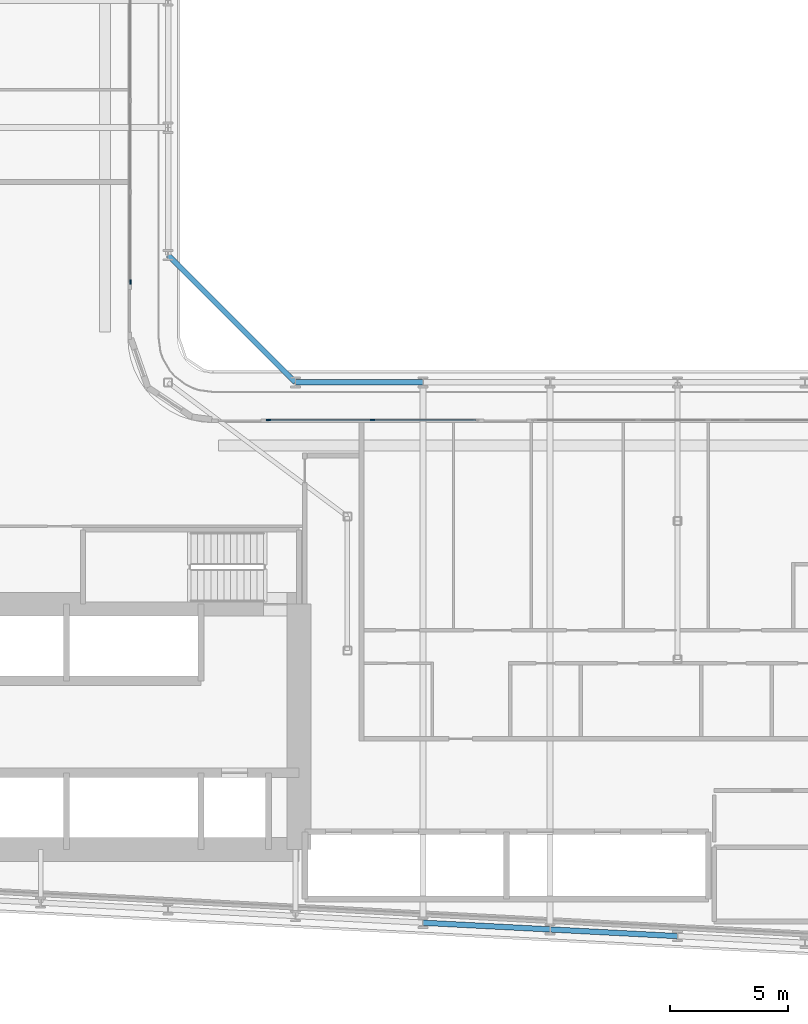
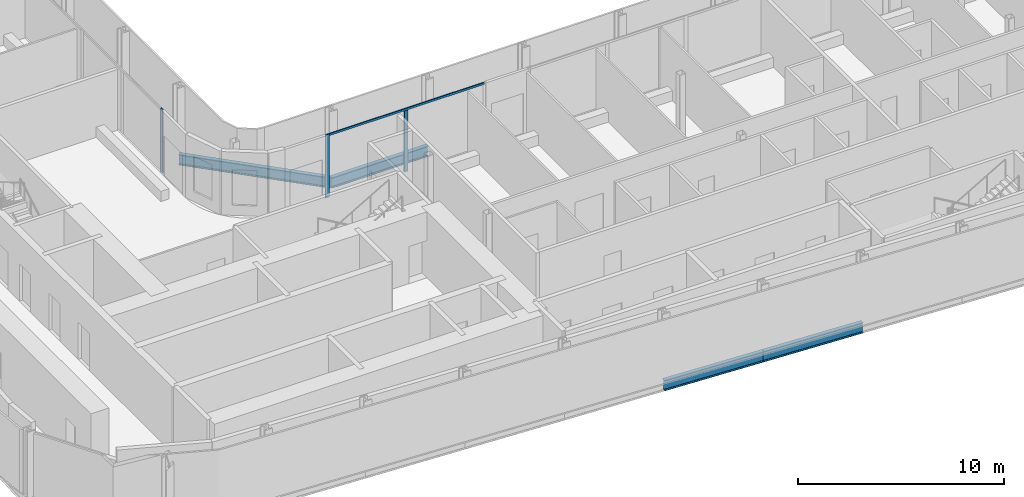
# One storey, part 4 of 27: 4 beams, 4 members, 2 elements without a shape of their own.
"""IFC4 building model written with IfcOpenShell, lengths in metres."""

from ifc_helpers import new_model, si_unit, direction, frame, origin, origin_2d, place, context, subcontext, project, spatial, rectangle, i_section, extrude, material, layer, layer_set, material_profile, profile_set, type_object, element, aggregate, save


model = new_model("IFC4")

# Units and contexts
model_context = context("Model", 3, precision=1e-05, world=origin(), true_north=direction((0.0, 1.0)))
body_context = subcontext(model_context, "Body", "Model", "MODEL_VIEW")
ifc_project = project(units=[si_unit("LENGTHUNIT", "METRE"), si_unit("AREAUNIT", "SQUARE_METRE"), si_unit("VOLUMEUNIT", "CUBIC_METRE"), si_unit("PLANEANGLEUNIT", "RADIAN"), si_unit("MASSUNIT", "GRAM", prefix="KILO")], contexts=[model_context])

# Site, building, storey
site_placement = place(None, origin())
site = spatial("IfcSite", under=ifc_project, at=site_placement, CompositionType="ELEMENT")
building_placement = place(site_placement, origin())
building = spatial("IfcBuilding", under=site, at=building_placement, Name="Kheshtan School and Residences Tower", CompositionType="ELEMENT")
storey_placement = place(building_placement, frame((0.0, 0.0, 46.10009765625)))
storey = spatial("IfcBuildingStorey", under=building, at=storey_placement, Name="L10", CompositionType="ELEMENT", Elevation=46.10009765625)

# Beams
ifc_material_1 = material(Name="Steel ASTM A992 Grade 50", Category="steel")
ifc_material_profile_1 = material_profile(ifc_material_1, i_section(OverallWidth=0.22998046875, OverallDepth=0.616943359375, WebThickness=0.01318359375, FlangeThickness=0.022216796875, FilletRadius=0.0185546875, at=origin_2d()), Name="W610x140")
ifc_profile_set_1 = profile_set([ifc_material_profile_1], Name="Steel ASTM A992 Grade 50")
beam_type = type_object("IfcBeamType", Name="Beam SP1 W610x140 ASTM A992 Grade 50", PredefinedType="BEAM", material=ifc_profile_set_1)
beam_1_placement = place(storey_placement, frame((47.60009765625, 51.0, -0.45849609375), z_axis=(0.707106781187, -0.707106781187, 0.0), x_axis=(0.707106781187, 0.707106781187, 0.0)))
element("IfcBeam", 1, at=beam_1_placement, inside=storey, type_object=beam_type, Name="Spandrel beam C079-C061", PredefinedType="BEAM", context=body_context, shape_type="SweptSolid", body=[
    extrude(i_section(OverallWidth=0.22998046875, OverallDepth=0.616943359375, WebThickness=0.01318359375, FlangeThickness=0.022216796875, FilletRadius=0.0185546875, at=origin_2d()), origin(), (0.0, 0.0, 1.0), 7.63671875),
])
beam_2_placement = place(storey_placement, frame((53.0, 45.60009765625, -0.45849609375), z_axis=(1.0, 0.0, 0.0), x_axis=(0.0, 1.0, 0.0)))
element("IfcBeam", 2, at=beam_2_placement, inside=storey, type_object=beam_type, Name="Spandrel beam C061-C062", PredefinedType="BEAM", context=body_context, shape_type="SweptSolid", body=[
    extrude(i_section(OverallWidth=0.22998046875, OverallDepth=0.616943359375, WebThickness=0.01318359375, FlangeThickness=0.022216796875, FilletRadius=0.0185546875, at=origin_2d()), origin(), (0.0, 0.0, 1.0), 5.39990234375),
])
beam_3_placement = place(storey_placement, frame((69.199951171875, 22.126953125, -0.45849609375), z_axis=(-0.998620447272, 0.05250906864, 0.0), x_axis=(-0.05250906864, -0.998620447272, 0.0)))
element("IfcBeam", 3, at=beam_3_placement, inside=storey, type_object=beam_type, Name="Spandrel beam C014-C016", PredefinedType="BEAM", context=body_context, shape_type="SweptSolid", body=[
    extrude(i_section(OverallWidth=0.22998046875, OverallDepth=0.616943359375, WebThickness=0.01318359375, FlangeThickness=0.022216796875, FilletRadius=0.0185546875, at=origin_2d()), origin(), (0.0, 0.0, 1.0), 5.407470703125),
])
beam_4_placement = place(storey_placement, frame((63.800048828125, 22.410888671875, -0.45849609375), z_axis=(-0.998618203458, 0.052551724256, 0.0), x_axis=(-0.052551724256, -0.998618203458, 0.0)))
element("IfcBeam", 4, at=beam_4_placement, inside=storey, type_object=beam_type, Name="Spandrel beam C016-C018", PredefinedType="BEAM", context=body_context, shape_type="SweptSolid", body=[
    extrude(i_section(OverallWidth=0.22998046875, OverallDepth=0.616943359375, WebThickness=0.01318359375, FlangeThickness=0.022216796875, FilletRadius=0.0185546875, at=origin_2d()), origin(), (0.0, 0.0, 1.0), 5.40771484375),
])

# Curtain wall, member
ifc_material_2 = material(Name="Clear low-e glass in thermally broken aluminium frame", Category="aluminium")
ifc_layer = layer(ifc_material_2, 0.199951171875)
ifc_layer_set = layer_set([ifc_layer], Name="Curtain wall CW-L")
curtain_wall_type = type_object("IfcCurtainWallType", Name="Curtain wall CW-L", PredefinedType="NOTDEFINED", material=ifc_layer_set)
curtain_wall_1_placement = place(storey_placement, origin())
curtain_wall_1 = element("IfcCurtainWall", 5, at=curtain_wall_1_placement, inside=storey, type_object=curtain_wall_type, Name="Curtain wall CWL8", PredefinedType="NOTDEFINED")
ifc_material_3 = material(Name="Thermally broken aluminium, dark bronze anodised", Category="aluminium")
ifc_material_profile_2 = material_profile(ifc_material_3, rectangle(XDim=0.06005859375, YDim=0.199951171875, at=origin_2d()), Name="CW-L mullion 60x200")
ifc_profile_set_2 = profile_set([ifc_material_profile_2], Name="Thermally broken aluminium, dark bronze anodised")
member_type_1 = type_object("IfcMemberType", Name="CW-L mullion 60x200", PredefinedType="MULLION", material=ifc_profile_set_2)
member_1_placement = place(storey_placement, frame((46.0, 49.860107421875, 0.0), z_axis=(0.0, 0.0, 1.0), x_axis=(1.0, 0.0, 0.0)))
member_1 = element("IfcMember", 6, at=member_1_placement, type_object=member_type_1, Name="CWL8 mullion 3", PredefinedType="MULLION", context=body_context, shape_type="SweptSolid", body=[
    extrude(rectangle(XDim=0.06005859375, YDim=0.199951171875, at=origin_2d()), origin(), (0.0, 0.0, 1.0), 3.75),
])
aggregate(curtain_wall_1, [member_1])

# Curtain wall, members
curtain_wall_2_placement = place(storey_placement, origin())
curtain_wall_2 = element("IfcCurtainWall", 7, at=curtain_wall_2_placement, inside=storey, type_object=curtain_wall_type, Name="Curtain wall CWL12f", PredefinedType="NOTDEFINED")
member_2_placement = place(storey_placement, frame((51.860107421875, 44.0, 0.0), z_axis=(0.0, 0.0, 1.0), x_axis=(0.0, 1.0, 0.0)))
member_2 = element("IfcMember", 8, at=member_2_placement, type_object=member_type_1, Name="CWL12f mullion 1", PredefinedType="MULLION", context=body_context, shape_type="SweptSolid", body=[
    extrude(rectangle(XDim=0.06005859375, YDim=0.199951171875, at=origin_2d()), origin(), (0.0, 0.0, 1.0), 3.75),
])
member_3_placement = place(storey_placement, frame((56.263671875, 44.0, 0.0), z_axis=(0.0, 0.0, 1.0), x_axis=(0.0, 1.0, 0.0)))
member_3 = element("IfcMember", 9, at=member_3_placement, type_object=member_type_1, Name="CWL12f mullion 2", PredefinedType="MULLION", context=body_context, shape_type="SweptSolid", body=[
    extrude(rectangle(XDim=0.06005859375, YDim=0.199951171875, at=origin_2d()), origin(), (0.0, 0.0, 1.0), 3.6298828125),
])
ifc_material_profile_3 = material_profile(ifc_material_3, rectangle(XDim=0.06005859375, YDim=0.1201171875, at=origin_2d()), Name="CW-L transom 60x120")
ifc_profile_set_3 = profile_set([ifc_material_profile_3], Name="Thermally broken aluminium, dark bronze anodised")
member_type_2 = type_object("IfcMemberType", Name="CW-L transom 60x120", PredefinedType="USERDEFINED", material=ifc_profile_set_3)
member_4_placement = place(storey_placement, frame((51.889892578125, 44.0, 3.68994140625), z_axis=(1.0, 0.0, 0.0), x_axis=(0.0, 1.0, 0.0)))
member_4 = element("IfcMember", 10, at=member_4_placement, type_object=member_type_2, Name="CWL12f transom 1", ObjectType="TRANSOM", PredefinedType="USERDEFINED", context=body_context, shape_type="SweptSolid", body=[
    extrude(rectangle(XDim=0.06005859375, YDim=0.1201171875, at=origin_2d()), origin(), (0.0, 0.0, 1.0), 8.74755859375),
])
aggregate(curtain_wall_2, [member_2, member_3, member_4])

save(model, "model.ifc")
